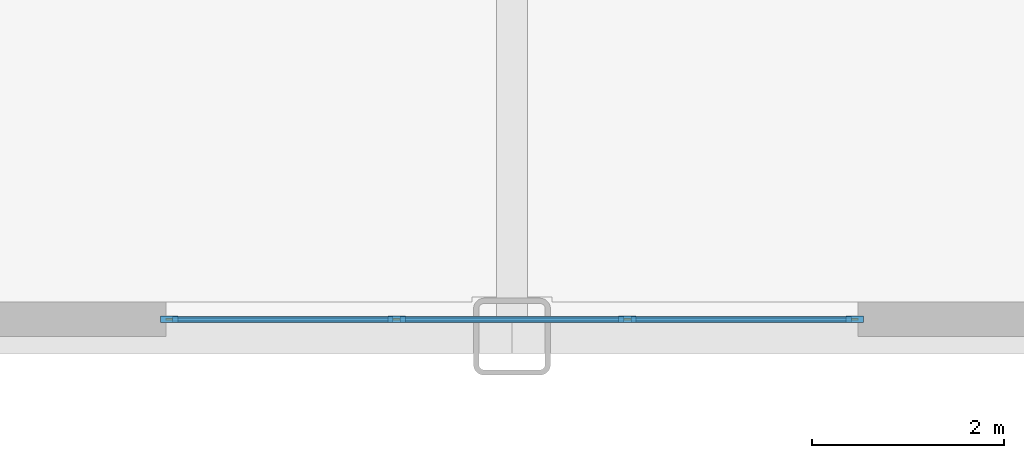
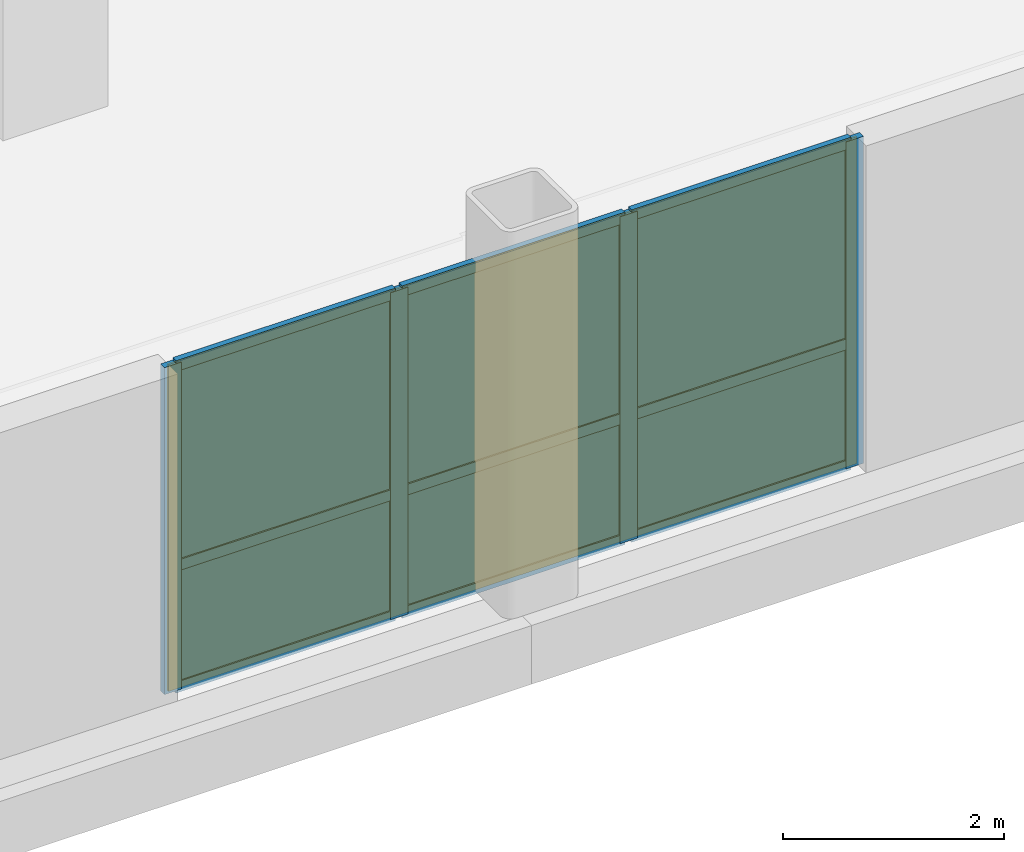
# One storey, part 8 of 15: 13 members, 6 plates, 1 curtain wall.
"""IFC4 building model written with IfcOpenShell, lengths in metres."""

from ifc_helpers import new_model, si_unit, direction, frame, frame_2d, origin, origin_2d, place, context, subcontext, project, spatial, rectangle, extrude, source, transform, mapped, material, layer, layer_set, material_profile, profile_set, type_object, type_shapes, element, aggregate, save


model = new_model("IFC4")

# Units and contexts
model_context = context("Model", 3, precision=1e-05, world=origin(), true_north=direction((0.0, 1.0)))
body_context = subcontext(model_context, "Body", "Model", "MODEL_VIEW")
ifc_project = project(units=[si_unit("LENGTHUNIT", "METRE"), si_unit("AREAUNIT", "SQUARE_METRE"), si_unit("VOLUMEUNIT", "CUBIC_METRE"), si_unit("PLANEANGLEUNIT", "RADIAN"), si_unit("MASSUNIT", "GRAM", prefix="KILO")], contexts=[model_context])

# Member
ifc_material_1 = material(Name="Anodised aluminium 6063-T6", Category="aluminium")
ifc_material_profile_1 = material_profile(ifc_material_1, rectangle(XDim=0.070068359375, YDim=0.179931640625, at=origin_2d()), Name="ALU-MULL-70x180")
ifc_profile_set_1 = profile_set([ifc_material_profile_1], Name="Anodised aluminium 6063-T6")
member_type_1 = type_object("IfcMemberType", Name="CWM-2", PredefinedType="MULLION", material=ifc_profile_set_1)
site_placement = place(None, origin())
building_placement = place(site_placement, origin())
storey_placement = place(building_placement, frame((0.0, 0.0, 4.60009765625)))
member_1_placement = place(storey_placement, frame((-22.56494140625, -25.820068359375, 0.0), z_axis=(0.0, 0.0, 1.0), x_axis=(0.0, 1.0, 0.0)))
member_1 = element("IfcMember", 1, at=member_1_placement, type_object=member_type_1, Name="CWS-2 mullion 1", PredefinedType="MULLION", context=body_context, shape_type="SweptSolid", body=[
    extrude(rectangle(XDim=0.070068359375, YDim=0.179931640625, at=origin_2d()), origin(), (0.0, 0.0, 1.0), 3.614990234375),
])

member_2_placement = place(storey_placement, frame((-20.199951171875, -25.820068359375, 0.0), z_axis=(0.0, 0.0, 1.0), x_axis=(0.0, 1.0, 0.0)))
member_2 = element("IfcMember", 2, at=member_2_placement, type_object=member_type_1, Name="CWS-2 mullion 2", PredefinedType="MULLION", context=body_context, shape_type="SweptSolid", body=[
    extrude(rectangle(XDim=0.070068359375, YDim=0.179931640625, at=origin_2d()), origin(), (0.0, 0.0, 1.0), 3.614990234375),
])

member_3_placement = place(storey_placement, frame((-17.800048828125, -25.820068359375, 0.0), z_axis=(0.0, 0.0, 1.0), x_axis=(0.0, 1.0, 0.0)))
member_3 = element("IfcMember", 3, at=member_3_placement, type_object=member_type_1, Name="CWS-2 mullion 3", PredefinedType="MULLION", context=body_context, shape_type="SweptSolid", body=[
    extrude(rectangle(XDim=0.070068359375, YDim=0.179931640625, at=origin_2d()), origin(), (0.0, 0.0, 1.0), 3.614990234375),
])

member_4_placement = place(storey_placement, frame((-15.43505859375, -25.820068359375, 0.0), z_axis=(0.0, 0.0, 1.0), x_axis=(0.0, 1.0, 0.0)))
member_4 = element("IfcMember", 4, at=member_4_placement, type_object=member_type_1, Name="CWS-2 mullion 4", PredefinedType="MULLION", context=body_context, shape_type="SweptSolid", body=[
    extrude(rectangle(XDim=0.070068359375, YDim=0.179931640625, at=origin_2d()), origin(), (0.0, 0.0, 1.0), 3.614990234375),
])

ifc_material_profile_2 = material_profile(ifc_material_1, rectangle(XDim=0.06005859375, YDim=0.1201171875, at=origin_2d()), Name="ALU-TRAN-60x120")
ifc_profile_set_2 = profile_set([ifc_material_profile_2], Name="Anodised aluminium 6063-T6")
member_type_2 = type_object("IfcMemberType", Name="CWT-2", PredefinedType="USERDEFINED", material=ifc_profile_set_2)
member_5_placement = place(storey_placement, frame((-22.530029296875, -25.820068359375, 0.02978515625), z_axis=(1.0, 0.0, 0.0), x_axis=(0.0, 1.0, 0.0)))
member_5 = element("IfcMember", 5, at=member_5_placement, type_object=member_type_2, Name="CWS-2 transom 1.1", ObjectType="TRANSOM", PredefinedType="USERDEFINED", context=body_context, shape_type="SweptSolid", body=[
    extrude(rectangle(XDim=0.06005859375, YDim=0.1201171875, at=origin_2d()), origin(), (0.0, 0.0, 1.0), 2.294921875),
])

member_6_placement = place(storey_placement, frame((-22.530029296875, -25.820068359375, 1.37353515625), z_axis=(1.0, 0.0, 0.0), x_axis=(0.0, 1.0, 0.0)))
member_6 = element("IfcMember", 6, at=member_6_placement, type_object=member_type_2, Name="CWS-2 transom 1.2", ObjectType="TRANSOM", PredefinedType="USERDEFINED", context=body_context, shape_type="SweptSolid", body=[
    extrude(rectangle(XDim=0.06005859375, YDim=0.1201171875, at=origin_2d()), origin(), (0.0, 0.0, 1.0), 2.294921875),
])

member_7_placement = place(storey_placement, frame((-22.530029296875, -25.820068359375, 3.5849609375), z_axis=(1.0, 0.0, 0.0), x_axis=(0.0, 1.0, 0.0)))
member_7 = element("IfcMember", 7, at=member_7_placement, type_object=member_type_2, Name="CWS-2 transom 1.3", ObjectType="TRANSOM", PredefinedType="USERDEFINED", context=body_context, shape_type="SweptSolid", body=[
    extrude(rectangle(XDim=0.06005859375, YDim=0.1201171875, at=origin_2d()), origin(), (0.0, 0.0, 1.0), 2.294921875),
])

member_8_placement = place(storey_placement, frame((-20.1650390625, -25.820068359375, 0.02978515625), z_axis=(1.0, 0.0, 0.0), x_axis=(0.0, 1.0, 0.0)))
member_8 = element("IfcMember", 8, at=member_8_placement, type_object=member_type_2, Name="CWS-2 transom 2.1", ObjectType="TRANSOM", PredefinedType="USERDEFINED", context=body_context, shape_type="SweptSolid", body=[
    extrude(rectangle(XDim=0.06005859375, YDim=0.1201171875, at=origin_2d()), origin(), (0.0, 0.0, 1.0), 2.330078125),
])

member_9_placement = place(storey_placement, frame((-20.1650390625, -25.820068359375, 1.37353515625), z_axis=(1.0, 0.0, 0.0), x_axis=(0.0, 1.0, 0.0)))
member_9 = element("IfcMember", 9, at=member_9_placement, type_object=member_type_2, Name="CWS-2 transom 2.2", ObjectType="TRANSOM", PredefinedType="USERDEFINED", context=body_context, shape_type="SweptSolid", body=[
    extrude(rectangle(XDim=0.06005859375, YDim=0.1201171875, at=origin_2d()), origin(), (0.0, 0.0, 1.0), 2.330078125),
])

member_10_placement = place(storey_placement, frame((-20.1650390625, -25.820068359375, 3.5849609375), z_axis=(1.0, 0.0, 0.0), x_axis=(0.0, 1.0, 0.0)))
member_10 = element("IfcMember", 10, at=member_10_placement, type_object=member_type_2, Name="CWS-2 transom 2.3", ObjectType="TRANSOM", PredefinedType="USERDEFINED", context=body_context, shape_type="SweptSolid", body=[
    extrude(rectangle(XDim=0.06005859375, YDim=0.1201171875, at=origin_2d()), origin(), (0.0, 0.0, 1.0), 2.330078125),
])

member_11_placement = place(storey_placement, frame((-17.764892578125, -25.820068359375, 0.02978515625), z_axis=(1.0, 0.0, 0.0), x_axis=(0.0, 1.0, 0.0)))
member_11 = element("IfcMember", 11, at=member_11_placement, type_object=member_type_2, Name="CWS-2 transom 3.1", ObjectType="TRANSOM", PredefinedType="USERDEFINED", context=body_context, shape_type="SweptSolid", body=[
    extrude(rectangle(XDim=0.06005859375, YDim=0.1201171875, at=origin_2d()), origin(), (0.0, 0.0, 1.0), 2.294921875),
])

member_12_placement = place(storey_placement, frame((-17.764892578125, -25.820068359375, 1.37353515625), z_axis=(1.0, 0.0, 0.0), x_axis=(0.0, 1.0, 0.0)))
member_12 = element("IfcMember", 12, at=member_12_placement, type_object=member_type_2, Name="CWS-2 transom 3.2", ObjectType="TRANSOM", PredefinedType="USERDEFINED", context=body_context, shape_type="SweptSolid", body=[
    extrude(rectangle(XDim=0.06005859375, YDim=0.1201171875, at=origin_2d()), origin(), (0.0, 0.0, 1.0), 2.294921875),
])

member_13_placement = place(storey_placement, frame((-17.764892578125, -25.820068359375, 3.5849609375), z_axis=(1.0, 0.0, 0.0), x_axis=(0.0, 1.0, 0.0)))
member_13 = element("IfcMember", 13, at=member_13_placement, type_object=member_type_2, Name="CWS-2 transom 3.3", ObjectType="TRANSOM", PredefinedType="USERDEFINED", context=body_context, shape_type="SweptSolid", body=[
    extrude(rectangle(XDim=0.06005859375, YDim=0.1201171875, at=origin_2d()), origin(), (0.0, 0.0, 1.0), 2.294921875),
])

# Plate
ifc_material_2 = material(Name="Insulated solar-control glass", Category="glass")
ifc_layer_1 = layer(ifc_material_2, 0.030029296875, Name="CWP-2")
ifc_layer_set_1 = layer_set([ifc_layer_1], Name="Insulated solar-control glass")
plate_type = type_object("IfcPlateType", Name="CWP-2", PredefinedType="CURTAIN_PANEL", material=ifc_layer_set_1)
shared_shape_1 = source(origin(), body_context, "Body", "SweptSolid", [
    extrude(rectangle(XDim=2.294921875, YDim=0.030029296875, at=origin_2d()), origin(), (0.0, 0.0, 1.0), 1.28369140625),
])
plate_1_placement = place(storey_placement, frame((-21.382568359375, -25.820068359375, 0.059814453125), z_axis=(0.0, 0.0, 1.0), x_axis=(1.0, 0.0, 0.0)))
plate_1 = element("IfcPlate", 14, at=plate_1_placement, type_object=plate_type, Name="CWS-2 panel 1.1", PredefinedType="CURTAIN_PANEL", context=body_context, shape_type="MappedRepresentation", body=[
    mapped(shared_shape_1, transform((0.0, 0.0, 0.0), scale=1.0)),
])

plate_2_placement = place(storey_placement, frame((-16.617431640625, -25.820068359375, 0.059814453125), z_axis=(0.0, 0.0, 1.0), x_axis=(1.0, 0.0, 0.0)))
plate_2 = element("IfcPlate", 15, at=plate_2_placement, type_object=plate_type, Name="CWS-2 panel 3.1", PredefinedType="CURTAIN_PANEL", context=body_context, shape_type="MappedRepresentation", body=[
    mapped(shared_shape_1, transform((0.0, 0.0, 0.0), scale=1.0)),
])

shared_shape_2 = source(origin(), body_context, "Body", "SweptSolid", [
    extrude(rectangle(XDim=2.294921875, YDim=0.030029296875, at=origin_2d()), origin(), (0.0, 0.0, 1.0), 2.1513671875),
])
plate_3_placement = place(storey_placement, frame((-21.382568359375, -25.820068359375, 1.403564453125), z_axis=(0.0, 0.0, 1.0), x_axis=(1.0, 0.0, 0.0)))
plate_3 = element("IfcPlate", 16, at=plate_3_placement, type_object=plate_type, Name="CWS-2 panel 1.2", PredefinedType="CURTAIN_PANEL", context=body_context, shape_type="MappedRepresentation", body=[
    mapped(shared_shape_2, transform((0.0, 0.0, 0.0), scale=1.0)),
])

plate_4_placement = place(storey_placement, frame((-16.617431640625, -25.820068359375, 1.403564453125), z_axis=(0.0, 0.0, 1.0), x_axis=(1.0, 0.0, 0.0)))
plate_4 = element("IfcPlate", 17, at=plate_4_placement, type_object=plate_type, Name="CWS-2 panel 3.2", PredefinedType="CURTAIN_PANEL", context=body_context, shape_type="MappedRepresentation", body=[
    mapped(shared_shape_2, transform((0.0, 0.0, 0.0), scale=1.0)),
])

shared_shape_3 = source(origin(), body_context, "Body", "SweptSolid", [
    extrude(rectangle(XDim=2.330078125, YDim=0.030029296875, at=origin_2d()), origin(), (0.0, 0.0, 1.0), 1.28369140625),
])
plate_5_placement = place(storey_placement, frame((-19.0, -25.820068359375, 0.059814453125), z_axis=(0.0, 0.0, 1.0), x_axis=(1.0, 0.0, 0.0)))
plate_5 = element("IfcPlate", 18, at=plate_5_placement, type_object=plate_type, Name="CWS-2 panel 2.1", PredefinedType="CURTAIN_PANEL", context=body_context, shape_type="MappedRepresentation", body=[
    mapped(shared_shape_3, transform((0.0, 0.0, 0.0), scale=1.0)),
])

shared_shape_4 = source(origin(), body_context, "Body", "SweptSolid", [
    extrude(rectangle(XDim=2.330078125, YDim=0.030029296875, at=origin_2d()), origin(), (0.0, 0.0, 1.0), 2.1513671875),
])
type_shapes(plate_type, [shared_shape_1, shared_shape_2, shared_shape_3, shared_shape_4])
plate_6_placement = place(storey_placement, frame((-19.0, -25.820068359375, 1.403564453125), z_axis=(0.0, 0.0, 1.0), x_axis=(1.0, 0.0, 0.0)))
plate_6 = element("IfcPlate", 19, at=plate_6_placement, type_object=plate_type, Name="CWS-2 panel 2.2", PredefinedType="CURTAIN_PANEL", context=body_context, shape_type="MappedRepresentation", body=[
    mapped(shared_shape_4, transform((0.0, 0.0, 0.0), scale=1.0)),
])

# Site, building, storey
site = spatial("IfcSite", under=ifc_project, at=site_placement, CompositionType="ELEMENT")
building = spatial("IfcBuilding", under=site, at=building_placement, Name="Nuvemarco Arch Tower", CompositionType="ELEMENT")
storey = spatial("IfcBuildingStorey", under=building, at=storey_placement, Name="L01", CompositionType="ELEMENT", Elevation=4.60009765625)

# Curtain wall
ifc_layer_2 = layer(ifc_material_2, 0.179931640625, Name="CW-SYS-2")
ifc_layer_set_2 = layer_set([ifc_layer_2], Name="Insulated solar-control glass")
curtain_wall_type = type_object("IfcCurtainWallType", Name="CW-SYS-2", PredefinedType="NOTDEFINED", material=ifc_layer_set_2)
curtain_wall_placement = place(storey_placement, frame((-22.60009765625, -25.820068359375, 0.0), z_axis=(0.0, 0.0, 1.0), x_axis=(1.0, 0.0, 0.0)))
curtain_wall = element("IfcCurtainWall", 20, at=curtain_wall_placement, inside=storey, type_object=curtain_wall_type, Name="L01 curtain wall CWS-2", PredefinedType="NOTDEFINED", context=body_context, shape_type="SweptSolid", body=[
    extrude(rectangle(XDim=7.2001953125, YDim=0.02001953125, at=frame_2d((3.60009765625, 0.0))), origin(), (0.0, 0.0, 1.0), 3.614990234375),
])

aggregate(curtain_wall, [member_1, member_2, member_3, member_4, member_5, member_6, member_7, plate_1, plate_3, member_8, member_9, member_10, plate_5, plate_6, member_11, member_12, member_13, plate_2, plate_4])

save(model, "model.ifc")
